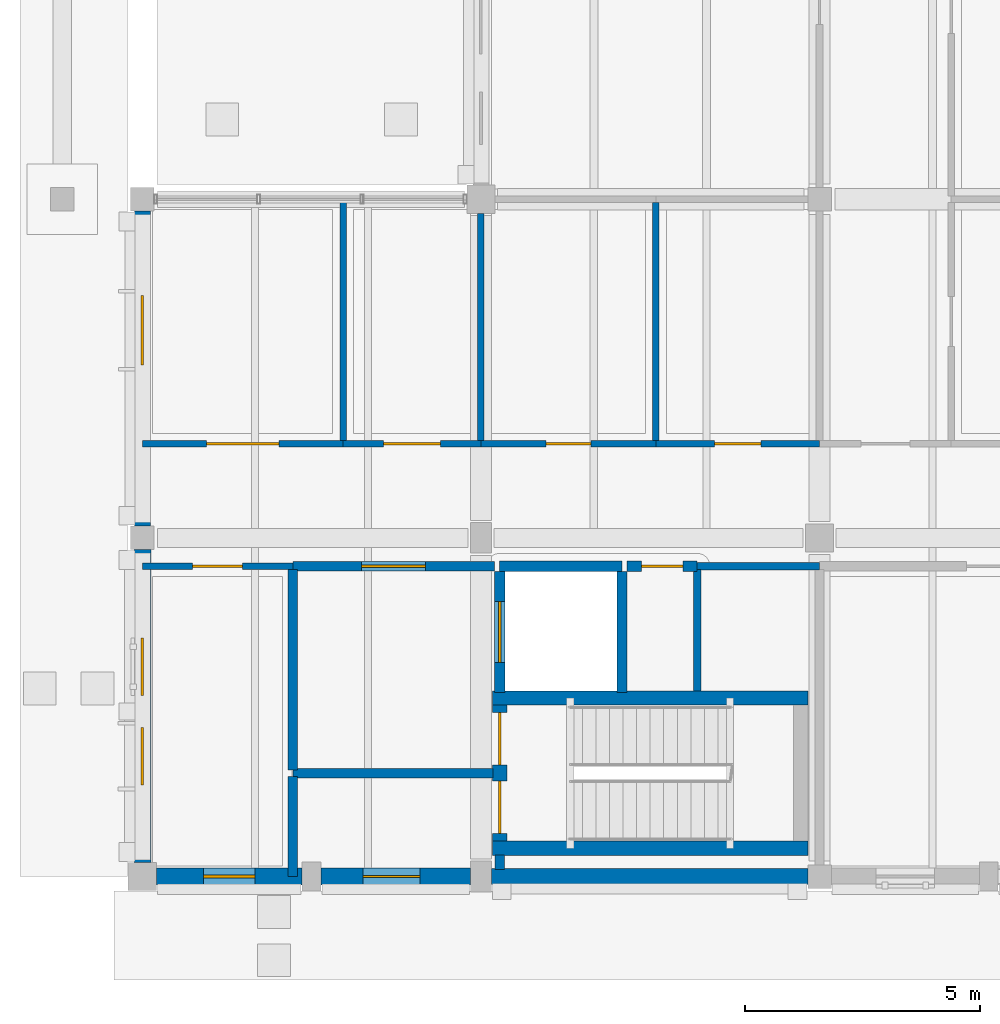
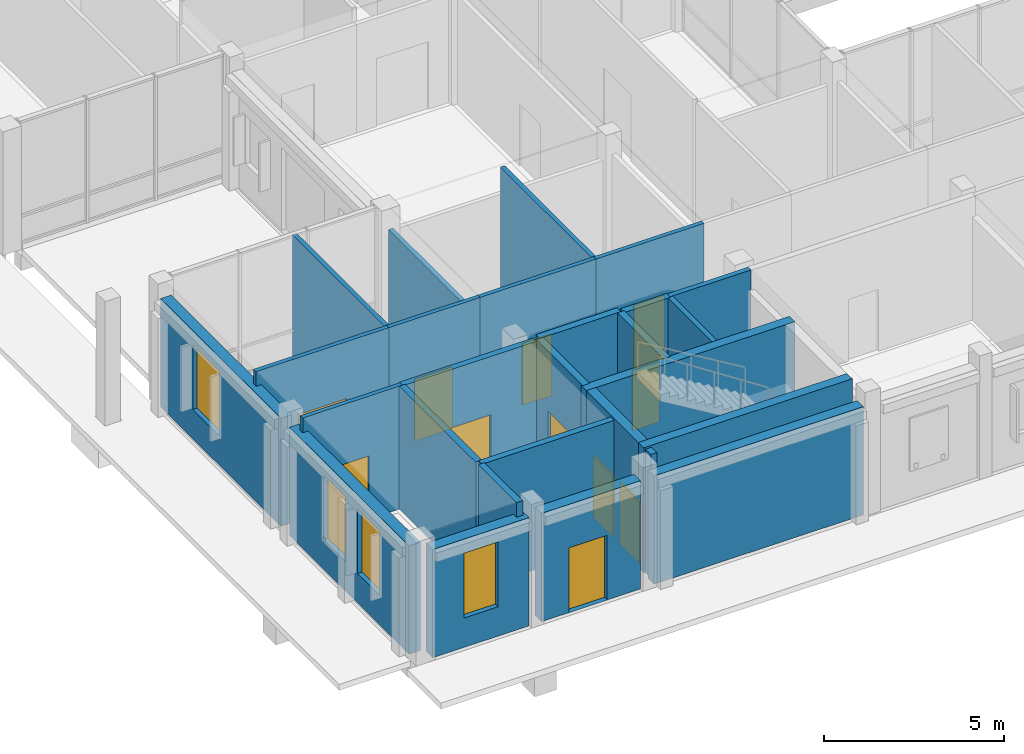
# One storey, part 69 of 104: 27 walls, 11 doors, 4 windows, 15 openings.
"""IFC4 building model written with IfcOpenShell, lengths in metres."""

from ifc_helpers import new_model, si_unit, direction, frame, frame_2d, origin, place, context, subcontext, project, spatial, rectangle, extrude, material, layer, layer_set, type_object, element, fill, save


model = new_model("IFC4")

# Units and contexts
model_context = context("Model", 3, precision=1e-05, world=origin(), true_north=direction((0.0, 1.0)))
body_context = subcontext(model_context, "Body", "Model", "MODEL_VIEW")
ifc_project = project(units=[si_unit("LENGTHUNIT", "METRE"), si_unit("AREAUNIT", "SQUARE_METRE"), si_unit("VOLUMEUNIT", "CUBIC_METRE"), si_unit("PLANEANGLEUNIT", "RADIAN"), si_unit("MASSUNIT", "GRAM", prefix="KILO")], contexts=[model_context])

# Site, building, storey
site_placement = place(None, origin())
site = spatial("IfcSite", under=ifc_project, at=site_placement, CompositionType="ELEMENT")
building_placement = place(site_placement, origin())
building = spatial("IfcBuilding", under=site, at=building_placement, Name="Hawrajan Terrace Health Centre", CompositionType="ELEMENT")
storey_placement = place(building_placement, origin())
storey = spatial("IfcBuildingStorey", under=building, at=storey_placement, Name="L00", CompositionType="ELEMENT", Elevation=0.0)

# Wall, opening, door
ifc_material_1 = material(Name="Gypsum board on acoustic stud framing")
ifc_layer_1 = layer(ifc_material_1, 0.139892578125)
ifc_layer_set_1 = layer_set([ifc_layer_1], Name="Gypsum board on acoustic stud framing")
wall_type_1 = type_object("IfcWallType", Name="ClinicalAcousticWall_140", PredefinedType="PARTITIONING", material=ifc_layer_set_1)
wall_1_placement = place(storey_placement, frame((4.60009765625, 10.800048828125, 0.0), z_axis=(0.0, 0.0, 1.0), x_axis=(1.0, 0.0, 0.0)))
wall_1 = element("IfcWall", 1, at=wall_1_placement, inside=storey, type_object=wall_type_1, Name="Interior wall IW-L00-0198", PredefinedType="PARTITIONING", context=body_context, shape_type="SweptSolid", body=[
    extrude(rectangle(XDim=3.199951171875, YDim=0.139892578125, at=frame_2d((1.60009765625, 0.0))), origin(), (0.0, 0.0, 1.0), 4.179931640625),
])
opening_1_placement = place(wall_1_placement, frame((1.070068359375, 0.0, 0.0)))
opening_1 = element("IfcOpeningElement", 2, at=opening_1_placement, cuts=wall_1, Name="Opening D-L00-205", PredefinedType="OPENING", context=body_context, shape_type="SweptSolid", body=[
    extrude(rectangle(XDim=1.06005859375, YDim=2.14990234375, at=frame_2d((0.530029296875, 1.074951171875))), frame((0.0, 0.079833984375, 0.0), z_axis=(0.0, -1.0, 0.0), x_axis=(1.0, 0.0, 0.0)), (0.0, 0.0, 1.0), 0.159912109375),
])
ifc_material_2 = material(Name="Hardwood acoustic clinical door leaf and frame", Category="wood")
door_type_1 = type_object("IfcDoorType", Name="MentalHealthDoor_1060x2150", OperationType="NOTDEFINED", PredefinedType="DOOR", material=ifc_material_2)
door_1_placement = place(opening_1_placement, origin())
door_1 = element("IfcDoor", 3, at=door_1_placement, inside=storey, type_object=door_type_1, Name="Interior door D-L00-205", OperationType="SINGLE_SWING_LEFT", OverallHeight=2.14990234375, OverallWidth=1.06005859375, PredefinedType="DOOR", context=body_context, shape_type="SweptSolid", body=[
    extrude(rectangle(XDim=1.06005859375, YDim=2.14990234375, at=frame_2d((0.530029296875, 1.074951171875))), frame((0.0, 0.02490234375, 0.0), z_axis=(0.0, -1.0, 0.0), x_axis=(1.0, 0.0, 0.0)), (0.0, 0.0, 1.0), 0.050048828125),
])
fill(opening_1, door_1)

wall_2_placement = place(storey_placement, frame((4.60009765625, 13.39990234375, 0.0), z_axis=(0.0, 0.0, 1.0), x_axis=(1.0, 0.0, 0.0)))
wall_2 = element("IfcWall", 4, at=wall_2_placement, inside=storey, type_object=wall_type_1, Name="Interior wall IW-L00-0199", PredefinedType="PARTITIONING", context=body_context, shape_type="SweptSolid", body=[
    extrude(rectangle(XDim=4.27001953125, YDim=0.139892578125, at=frame_2d((2.135009765625, 0.0))), origin(), (0.0, 0.0, 1.0), 4.179931640625),
])
opening_2_placement = place(wall_2_placement, frame((1.364990234375, 0.0, 0.0)))
opening_2 = element("IfcOpeningElement", 5, at=opening_2_placement, cuts=wall_2, Name="Opening D-L00-206", PredefinedType="OPENING", context=body_context, shape_type="SweptSolid", body=[
    extrude(rectangle(XDim=1.5400390625, YDim=2.25, at=frame_2d((0.77001953125, 1.125))), frame((0.0, 0.079833984375, 0.0), z_axis=(0.0, -1.0, 0.0), x_axis=(1.0, 0.0, 0.0)), (0.0, 0.0, 1.0), 0.159912109375),
])
door_type_2 = type_object("IfcDoorType", Name="RecoveryBayDoor_1540x2250", OperationType="DOUBLE_DOOR_SINGLE_SWING", PredefinedType="DOOR", material=ifc_material_2)
door_2_placement = place(opening_2_placement, origin())
door_2 = element("IfcDoor", 6, at=door_2_placement, inside=storey, type_object=door_type_2, Name="Interior door D-L00-206", OperationType="DOUBLE_DOOR_SINGLE_SWING", OverallHeight=2.25, OverallWidth=1.5400390625, PredefinedType="DOOR", context=body_context, shape_type="SweptSolid", body=[
    extrude(rectangle(XDim=1.5400390625, YDim=2.25, at=frame_2d((0.77001953125, 1.125))), frame((0.0, 0.02490234375, 0.0), z_axis=(0.0, -1.0, 0.0), x_axis=(1.0, 0.0, 0.0)), (0.0, 0.0, 1.0), 0.050048828125),
])
fill(opening_2, door_2)

# Wall
wall_3_placement = place(storey_placement, frame((8.8701171875, 13.469970703125, 0.0), z_axis=(0.0, 0.0, 1.0), x_axis=(0.0, 1.0, 0.0)))
element("IfcWall", 7, at=wall_3_placement, inside=storey, type_object=wall_type_1, Name="Interior wall IW-L00-0214", PredefinedType="PARTITIONING", context=body_context, shape_type="SweptSolid", body=[
    extrude(rectangle(XDim=5.130126953125, YDim=0.139892578125, at=frame_2d((2.56494140625, 0.0))), origin(), (0.0, 0.0, 1.0), 4.179931640625),
])

# Wall, opening, door
wall_4_placement = place(storey_placement, frame((8.8701171875, 13.39990234375, 0.0), z_axis=(0.0, 0.0, 1.0), x_axis=(1.0, 0.0, 0.0)))
wall_4 = element("IfcWall", 8, at=wall_4_placement, inside=storey, type_object=wall_type_1, Name="Interior wall IW-L00-0215", PredefinedType="PARTITIONING", context=body_context, shape_type="SweptSolid", body=[
    extrude(rectangle(XDim=2.929931640625, YDim=0.139892578125, at=frame_2d((1.46484375, 0.0))), origin(), (0.0, 0.0, 1.0), 4.179931640625),
])
opening_3_placement = place(wall_4_placement, frame((0.85498046875, 0.0, 0.0)))
opening_3 = element("IfcOpeningElement", 9, at=opening_3_placement, cuts=wall_4, Name="Opening D-L00-207", PredefinedType="OPENING", context=body_context, shape_type="SweptSolid", body=[
    extrude(rectangle(XDim=1.219970703125, YDim=2.10009765625, at=frame_2d((0.60986328125, 1.050048828125))), frame((0.0, 0.079833984375, 0.0), z_axis=(0.0, -1.0, 0.0), x_axis=(1.0, 0.0, 0.0)), (0.0, 0.0, 1.0), 0.159912109375),
])
door_type_3 = type_object("IfcDoorType", Name="ConsultDoor_1220x2100", OperationType="NOTDEFINED", PredefinedType="DOOR", material=ifc_material_2)
door_3_placement = place(opening_3_placement, origin())
door_3 = element("IfcDoor", 10, at=door_3_placement, inside=storey, type_object=door_type_3, Name="Interior door D-L00-207", OperationType="SINGLE_SWING_LEFT", OverallHeight=2.10009765625, OverallWidth=1.219970703125, PredefinedType="DOOR", context=body_context, shape_type="SweptSolid", body=[
    extrude(rectangle(XDim=1.219970703125, YDim=2.10009765625, at=frame_2d((0.60986328125, 1.050048828125))), frame((0.0, 0.02490234375, 0.0), z_axis=(0.0, -1.0, 0.0), x_axis=(1.0, 0.0, 0.0)), (0.0, 0.0, 1.0), 0.050048828125),
])
fill(opening_3, door_3)

# Wall
wall_5_placement = place(storey_placement, frame((11.800048828125, 13.469970703125, 0.0), z_axis=(0.0, 0.0, 1.0), x_axis=(0.0, 1.0, 0.0)))
element("IfcWall", 11, at=wall_5_placement, inside=storey, type_object=wall_type_1, Name="Interior wall IW-L00-0221", PredefinedType="PARTITIONING", context=body_context, shape_type="SweptSolid", body=[
    extrude(rectangle(XDim=4.830078125, YDim=0.139892578125, at=frame_2d((2.4150390625, 0.0))), origin(), (0.0, 0.0, 1.0), 3.5),
])

# Wall, opening, door
wall_6_placement = place(storey_placement, frame((11.800048828125, 13.39990234375, 0.0), z_axis=(0.0, 0.0, 1.0), x_axis=(1.0, 0.0, 0.0)))
wall_6 = element("IfcWall", 12, at=wall_6_placement, inside=storey, type_object=wall_type_1, Name="Interior wall IW-L00-0222", PredefinedType="PARTITIONING", context=body_context, shape_type="SweptSolid", body=[
    extrude(rectangle(XDim=3.721923828125, YDim=0.139892578125, at=frame_2d((1.86083984375, 0.0))), origin(), (0.0, 0.0, 1.0), 4.179931640625),
])
opening_4_placement = place(wall_6_placement, frame((1.385986328125, 0.0, 0.0)))
opening_4 = element("IfcOpeningElement", 13, at=opening_4_placement, cuts=wall_6, Name="Opening D-L00-208", PredefinedType="OPENING", context=body_context, shape_type="SweptSolid", body=[
    extrude(rectangle(XDim=0.949951171875, YDim=2.10009765625, at=frame_2d((0.47509765625, 1.050048828125))), frame((0.0, 0.079833984375, 0.0), z_axis=(0.0, -1.0, 0.0), x_axis=(1.0, 0.0, 0.0)), (0.0, 0.0, 1.0), 0.159912109375),
])
door_type_4 = type_object("IfcDoorType", Name="AccessibleWCDoor_950x2100", OperationType="NOTDEFINED", PredefinedType="DOOR", material=ifc_material_2)
door_4_placement = place(opening_4_placement, origin())
door_4 = element("IfcDoor", 14, at=door_4_placement, inside=storey, type_object=door_type_4, Name="Interior door D-L00-208", OperationType="SINGLE_SWING_RIGHT", OverallHeight=2.10009765625, OverallWidth=0.949951171875, PredefinedType="DOOR", context=body_context, shape_type="SweptSolid", body=[
    extrude(rectangle(XDim=0.949951171875, YDim=2.10009765625, at=frame_2d((0.47509765625, 1.050048828125))), frame((0.0, 0.02490234375, 0.0), z_axis=(0.0, -1.0, 0.0), x_axis=(1.0, 0.0, 0.0)), (0.0, 0.0, 1.0), 0.050048828125),
])
fill(opening_4, door_4)

# Wall
wall_7_placement = place(storey_placement, frame((15.52197265625, 13.469970703125, 0.0), z_axis=(0.0, 0.0, 1.0), x_axis=(0.0, 1.0, 0.0)))
element("IfcWall", 15, at=wall_7_placement, inside=storey, type_object=wall_type_1, Name="Interior wall IW-L00-0238", PredefinedType="PARTITIONING", context=body_context, shape_type="SweptSolid", body=[
    extrude(rectangle(XDim=5.06005859375, YDim=0.139892578125, at=frame_2d((2.530029296875, 0.0))), origin(), (0.0, 0.0, 1.0), 4.179931640625),
])

# Wall, opening, door
wall_8_placement = place(storey_placement, frame((15.52197265625, 13.39990234375, 0.0), z_axis=(0.0, 0.0, 1.0), x_axis=(1.0, 0.0, 0.0)))
wall_8 = element("IfcWall", 16, at=wall_8_placement, inside=storey, type_object=wall_type_1, Name="Interior wall IW-L00-0239", PredefinedType="PARTITIONING", context=body_context, shape_type="SweptSolid", body=[
    extrude(rectangle(XDim=3.47802734375, YDim=0.139892578125, at=frame_2d((1.739013671875, 0.0))), origin(), (0.0, 0.0, 1.0), 4.179931640625),
])
opening_5_placement = place(wall_8_placement, frame((1.2490234375, 0.0, 0.0)))
opening_5 = element("IfcOpeningElement", 17, at=opening_5_placement, cuts=wall_8, Name="Opening D-L00-209", PredefinedType="OPENING", context=body_context, shape_type="SweptSolid", body=[
    extrude(rectangle(XDim=0.97998046875, YDim=2.14990234375, at=frame_2d((0.489990234375, 1.074951171875))), frame((0.0, 0.079833984375, 0.0), z_axis=(0.0, -1.0, 0.0), x_axis=(1.0, 0.0, 0.0)), (0.0, 0.0, 1.0), 0.159912109375),
])
door_type_5 = type_object("IfcDoorType", Name="ConsultDoor_980x2150", OperationType="NOTDEFINED", PredefinedType="DOOR", material=ifc_material_2)
door_5_placement = place(opening_5_placement, origin())
door_5 = element("IfcDoor", 18, at=door_5_placement, inside=storey, type_object=door_type_5, Name="Interior door D-L00-209", OperationType="SINGLE_SWING_LEFT", OverallHeight=2.14990234375, OverallWidth=0.97998046875, PredefinedType="DOOR", context=body_context, shape_type="SweptSolid", body=[
    extrude(rectangle(XDim=0.97998046875, YDim=2.14990234375, at=frame_2d((0.489990234375, 1.074951171875))), frame((0.0, 0.02490234375, 0.0), z_axis=(0.0, -1.0, 0.0), x_axis=(1.0, 0.0, 0.0)), (0.0, 0.0, 1.0), 0.050048828125),
])
fill(opening_5, door_5)

# Wall, opening, window
ifc_material_3 = material(Name="Precast concrete C40/50", Category="concrete")
ifc_layer_2 = layer(ifc_material_3, 0.340087890625)
ifc_layer_set_2 = layer_set([ifc_layer_2], Name="Precast concrete C40/50")
wall_type_2 = type_object("IfcWallType", Name="CoralAshlarWall_340", PredefinedType="SOLIDWALL", material=ifc_layer_set_2)
wall_9_placement = place(storey_placement, frame((4.60009765625, 11.64990234375, 0.0), z_axis=(0.0, 0.0, 1.0), x_axis=(0.0, 1.0, 0.0)))
wall_9 = element("IfcWall", 19, at=wall_9_placement, inside=storey, type_object=wall_type_2, Name="Exterior wall EW-L00-V00-01-1", PredefinedType="SOLIDWALL", context=body_context, shape_type="SweptSolid", body=[
    extrude(rectangle(XDim=6.7001953125, YDim=0.340087890625, at=frame_2d((3.35009765625, 0.0))), origin(), (0.0, 0.0, 1.0), 3.679931640625),
])
opening_6_placement = place(wall_9_placement, frame((3.425048828125, 0.0, 1.0)))
opening_6 = element("IfcOpeningElement", 20, at=opening_6_placement, cuts=wall_9, Name="Opening W-L00-004", PredefinedType="OPENING", context=body_context, shape_type="SweptSolid", body=[
    extrude(rectangle(XDim=1.47998046875, YDim=2.199951171875, at=frame_2d((0.739990234375, 1.10009765625))), frame((0.0, 0.179931640625, 0.0), z_axis=(0.0, -1.0, 0.0), x_axis=(1.0, 0.0, 0.0)), (0.0, 0.0, 1.0), 0.360107421875),
])
ifc_material_4 = material(Name="Anodized bronze frame with double low-E glazing", Category="glass")
window_type_1 = type_object("IfcWindowType", Name="FacadeWindow_1480x2200", PartitioningType="SINGLE_PANEL", PredefinedType="WINDOW", material=ifc_material_4)
window_1_placement = place(opening_6_placement, origin())
window_1 = element("IfcWindow", 21, at=window_1_placement, inside=storey, type_object=window_type_1, Name="Window W-L00-004", OverallHeight=2.199951171875, OverallWidth=1.47998046875, PartitioningType="SINGLE_PANEL", PredefinedType="WINDOW", context=body_context, shape_type="SweptSolid", body=[
    extrude(rectangle(XDim=1.47998046875, YDim=2.199951171875, at=frame_2d((0.739990234375, 1.10009765625))), frame((0.0, 0.030029296875, 0.0), z_axis=(0.0, -1.0, 0.0), x_axis=(1.0, 0.0, 0.0)), (0.0, 0.0, 1.0), 0.06005859375),
])
fill(opening_6, window_1)

# Wall
wall_10_placement = place(storey_placement, frame((12.02490234375, 4.199951171875, 0.0), z_axis=(0.0, 0.0, 1.0), x_axis=(1.0, 0.0, 0.0)))
element("IfcWall", 22, at=wall_10_placement, inside=storey, type_object=wall_type_2, Name="Exterior wall EW-L00-H01-00-1", PredefinedType="SOLIDWALL", context=body_context, shape_type="SweptSolid", body=[
    extrude(rectangle(XDim=6.72509765625, YDim=0.340087890625, at=frame_2d((3.362548828125, 0.0))), origin(), (0.0, 0.0, 1.0), 3.679931640625),
])

# Wall, opening, window
ifc_layer_3 = layer(ifc_material_3, 0.360107421875)
ifc_layer_set_3 = layer_set([ifc_layer_3], Name="Precast concrete C40/50")
wall_type_3 = type_object("IfcWallType", Name="CoralPodiumWall_360", PredefinedType="SOLIDWALL", material=ifc_layer_set_3)
wall_11_placement = place(storey_placement, frame((4.89990234375, 4.199951171875, 0.0), z_axis=(0.0, 0.0, 1.0), x_axis=(1.0, 0.0, 0.0)))
wall_11 = element("IfcWall", 23, at=wall_11_placement, inside=storey, type_object=wall_type_3, Name="Exterior wall EW-L00-H00-00-1", PredefinedType="SOLIDWALL", context=body_context, shape_type="SweptSolid", body=[
    extrude(rectangle(XDim=3.10009765625, YDim=0.360107421875, at=frame_2d((1.550048828125, 0.0))), origin(), (0.0, 0.0, 1.0), 3.679931640625),
])
opening_7_placement = place(wall_11_placement, frame((1.0, 0.0, 1.0)))
opening_7 = element("IfcOpeningElement", 24, at=opening_7_placement, cuts=wall_11, Name="Opening W-L00-001", PredefinedType="OPENING", context=body_context, shape_type="SweptSolid", body=[
    extrude(rectangle(XDim=1.10009765625, YDim=2.199951171875, at=frame_2d((0.550048828125, 1.10009765625))), frame((0.0, 0.18994140625, 0.0), z_axis=(0.0, -1.0, 0.0), x_axis=(1.0, 0.0, 0.0)), (0.0, 0.0, 1.0), 0.380126953125),
])
window_type_2 = type_object("IfcWindowType", Name="FacadeWindow_1100x2200", PartitioningType="SINGLE_PANEL", PredefinedType="WINDOW", material=ifc_material_4)
window_2_placement = place(opening_7_placement, origin())
window_2 = element("IfcWindow", 25, at=window_2_placement, inside=storey, type_object=window_type_2, Name="Window W-L00-001", OverallHeight=2.199951171875, OverallWidth=1.10009765625, PartitioningType="SINGLE_PANEL", PredefinedType="WINDOW", context=body_context, shape_type="SweptSolid", body=[
    extrude(rectangle(XDim=1.10009765625, YDim=2.199951171875, at=frame_2d((0.550048828125, 1.10009765625))), frame((0.0, 0.030029296875, 0.0), z_axis=(0.0, -1.0, 0.0), x_axis=(1.0, 0.0, 0.0)), (0.0, 0.0, 1.0), 0.06005859375),
])
fill(opening_7, window_2)

# Wall, opening, door
wall_12_placement = place(storey_placement, frame((8.39990234375, 4.199951171875, 0.0), z_axis=(0.0, 0.0, 1.0), x_axis=(1.0, 0.0, 0.0)))
wall_12 = element("IfcWall", 26, at=wall_12_placement, inside=storey, type_object=wall_type_3, Name="Exterior wall EW-L00-H00-00-2", PredefinedType="SOLIDWALL", context=body_context, shape_type="SweptSolid", body=[
    extrude(rectangle(XDim=3.175048828125, YDim=0.360107421875, at=frame_2d((1.58740234375, 0.0))), origin(), (0.0, 0.0, 1.0), 3.679931640625),
])
opening_8_placement = place(wall_12_placement, frame((0.889892578125, 0.0, 0.0)))
opening_8 = element("IfcOpeningElement", 27, at=opening_8_placement, cuts=wall_12, Name="Opening D-L00-E001", PredefinedType="OPENING", context=body_context, shape_type="SweptSolid", body=[
    extrude(rectangle(XDim=1.219970703125, YDim=2.199951171875, at=frame_2d((0.60986328125, 1.10009765625))), frame((0.0, 0.18994140625, 0.0), z_axis=(0.0, -1.0, 0.0), x_axis=(1.0, 0.0, 0.0)), (0.0, 0.0, 1.0), 0.380126953125),
])
ifc_material_5 = material(Name="Anodized bronze thermally broken fire-rated glazed door")
door_type_6 = type_object("IfcDoorType", Name="StairDischargeDoor_1220x2200", OperationType="NOTDEFINED", PredefinedType="DOOR", material=ifc_material_5)
door_6_placement = place(opening_8_placement, frame((1.219970703125, 0.0, 0.0), z_axis=(0.0, 0.0, 1.0), x_axis=(-1.0, 0.0, 0.0)))
door_6 = element("IfcDoor", 28, at=door_6_placement, inside=storey, type_object=door_type_6, Name="Exit Passage C3 Final Exit Door D-L00-E001", OperationType="SINGLE_SWING_LEFT", OverallHeight=2.199951171875, OverallWidth=1.219970703125, PredefinedType="DOOR", context=body_context, shape_type="SweptSolid", body=[
    extrude(rectangle(XDim=1.219970703125, YDim=2.199951171875, at=frame_2d((0.60986328125, 1.10009765625))), frame((0.0, 0.02490234375, 0.0), z_axis=(0.0, -1.0, 0.0), x_axis=(1.0, 0.0, 0.0)), (0.0, 0.0, 1.0), 0.050048828125),
])
fill(opening_8, door_6)

# Wall, openings, windows
wall_13_placement = place(storey_placement, frame((4.60009765625, 4.5, 0.0), z_axis=(0.0, 0.0, 1.0), x_axis=(0.0, 1.0, 0.0)))
wall_13 = element("IfcWall", 29, at=wall_13_placement, inside=storey, type_object=wall_type_3, Name="Exterior wall EW-L00-V00-00-1", PredefinedType="SOLIDWALL", context=body_context, shape_type="SweptSolid", body=[
    extrude(rectangle(XDim=6.64990234375, YDim=0.360107421875, at=frame_2d((3.324951171875, 0.0))), origin(), (0.0, 0.0, 1.0), 3.679931640625),
])
opening_9_placement = place(wall_13_placement, frame((1.64990234375, 0.0, 1.0)))
opening_9 = element("IfcOpeningElement", 30, at=opening_9_placement, cuts=wall_13, Name="Opening W-L00-002", PredefinedType="OPENING", context=body_context, shape_type="SweptSolid", body=[
    extrude(rectangle(XDim=1.219970703125, YDim=2.199951171875, at=frame_2d((0.60986328125, 1.10009765625))), frame((0.0, 0.18994140625, 0.0), z_axis=(0.0, -1.0, 0.0), x_axis=(1.0, 0.0, 0.0)), (0.0, 0.0, 1.0), 0.380126953125),
])
opening_10_placement = place(wall_13_placement, frame((3.550048828125, 0.0, 1.0)))
opening_10 = element("IfcOpeningElement", 31, at=opening_10_placement, cuts=wall_13, Name="Opening W-L00-003", PredefinedType="OPENING", context=body_context, shape_type="SweptSolid", body=[
    extrude(rectangle(XDim=1.219970703125, YDim=2.199951171875, at=frame_2d((0.60986328125, 1.10009765625))), frame((0.0, 0.18994140625, 0.0), z_axis=(0.0, -1.0, 0.0), x_axis=(1.0, 0.0, 0.0)), (0.0, 0.0, 1.0), 0.380126953125),
])
window_type_3 = type_object("IfcWindowType", Name="FacadeWindow_1220x2200", PartitioningType="SINGLE_PANEL", PredefinedType="WINDOW", material=ifc_material_4)
window_3_placement = place(opening_9_placement, origin())
window_3 = element("IfcWindow", 32, at=window_3_placement, inside=storey, type_object=window_type_3, Name="Window W-L00-002", OverallHeight=2.199951171875, OverallWidth=1.219970703125, PartitioningType="SINGLE_PANEL", PredefinedType="WINDOW", context=body_context, shape_type="SweptSolid", body=[
    extrude(rectangle(XDim=1.219970703125, YDim=2.199951171875, at=frame_2d((0.60986328125, 1.10009765625))), frame((0.0, 0.030029296875, 0.0), z_axis=(0.0, -1.0, 0.0), x_axis=(1.0, 0.0, 0.0)), (0.0, 0.0, 1.0), 0.06005859375),
])
fill(opening_9, window_3)
window_4_placement = place(opening_10_placement, origin())
window_4 = element("IfcWindow", 33, at=window_4_placement, inside=storey, type_object=window_type_3, Name="Window W-L00-003", OverallHeight=2.199951171875, OverallWidth=1.219970703125, PartitioningType="SINGLE_PANEL", PredefinedType="WINDOW", context=body_context, shape_type="SweptSolid", body=[
    extrude(rectangle(XDim=1.219970703125, YDim=2.199951171875, at=frame_2d((0.60986328125, 1.10009765625))), frame((0.0, 0.030029296875, 0.0), z_axis=(0.0, -1.0, 0.0), x_axis=(1.0, 0.0, 0.0)), (0.0, 0.0, 1.0), 0.06005859375),
])
fill(opening_10, window_4)

# Walls
ifc_material_6 = material(Name="Concrete C40/50", Category="concrete")
ifc_layer_4 = layer(ifc_material_6, 0.300048828125)
ifc_layer_set_4 = layer_set([ifc_layer_4], Name="Concrete C40/50")
wall_type_4 = type_object("IfcWallType", Name="CoreShearWall_RC300", PredefinedType="SHEAR", material=ifc_layer_set_4)
for number, where, z_axis, x_axis, name in (
    (34, (12.050048828125, 4.800048828125, 0.0), (0.0, 0.0, 1.0), (1.0, 0.0, 0.0), "Core shear wall SW-C3-L00-S"),
    (35, (12.050048828125, 8.0, 0.0), (0.0, 0.0, 1.0), (1.0, 0.0, 0.0), "Core shear wall SW-C3-L00-N"),
):
    element("IfcWall", number, at=place(storey_placement, frame(where, z_axis=z_axis, x_axis=x_axis)), inside=storey, type_object=wall_type_4, Name=name, PredefinedType="SHEAR", context=body_context, shape_type="SweptSolid", body=[
        extrude(rectangle(XDim=6.699951171875, YDim=0.300048828125, at=frame_2d((3.35009765625, 0.0))), origin(), (0.0, 0.0, 1.0), 4.25),
    ])

# Wall, openings, doors
wall_14_placement = place(storey_placement, frame((12.199951171875, 4.949951171875, 0.0), z_axis=(0.0, 0.0, 1.0), x_axis=(0.0, 1.0, 0.0)))
wall_14 = element("IfcWall", 36, at=wall_14_placement, inside=storey, type_object=wall_type_4, Name="Core shear wall SW-C3-L00-W", PredefinedType="SHEAR", context=body_context, shape_type="SweptSolid", body=[
    extrude(rectangle(XDim=2.900146484375, YDim=0.300048828125, at=frame_2d((1.4501953125, 0.0))), origin(), (0.0, 0.0, 1.0), 4.25),
])
opening_11_placement = place(wall_14_placement, frame((0.159912109375, 0.0, 0.0)))
opening_11 = element("IfcOpeningElement", 37, at=opening_11_placement, cuts=wall_14, Name="Opening D-L00-095", PredefinedType="OPENING", context=body_context, shape_type="SweptSolid", body=[
    extrude(rectangle(XDim=1.1201171875, YDim=2.10009765625, at=frame_2d((0.56005859375, 1.050048828125))), frame((0.0, 0.159912109375, 0.0), z_axis=(0.0, -1.0, 0.0), x_axis=(1.0, 0.0, 0.0)), (0.0, 0.0, 1.0), 0.320068359375),
])
opening_12_placement = place(wall_14_placement, frame((1.6201171875, 0.0, 0.0)))
opening_12 = element("IfcOpeningElement", 38, at=opening_12_placement, cuts=wall_14, Name="Opening D-L00-096", PredefinedType="OPENING", context=body_context, shape_type="SweptSolid", body=[
    extrude(rectangle(XDim=1.1201171875, YDim=2.10009765625, at=frame_2d((0.56005859375, 1.050048828125))), frame((0.0, 0.159912109375, 0.0), z_axis=(0.0, -1.0, 0.0), x_axis=(1.0, 0.0, 0.0)), (0.0, 0.0, 1.0), 0.320068359375),
])
ifc_material_7 = material(Name="Timber-veneered acoustic fire-resisting door assembly", Category="wood")
door_type_7 = type_object("IfcDoorType", Name="CoreStairDoor_1120x2100", OperationType="NOTDEFINED", PredefinedType="DOOR", material=ifc_material_7)
door_7_placement = place(opening_11_placement, origin())
door_7 = element("IfcDoor", 39, at=door_7_placement, inside=storey, type_object=door_type_7, Name="Interior door D-L00-095", OperationType="SINGLE_SWING_LEFT", OverallHeight=2.10009765625, OverallWidth=1.1201171875, PredefinedType="DOOR", context=body_context, shape_type="SweptSolid", body=[
    extrude(rectangle(XDim=1.1201171875, YDim=2.10009765625, at=frame_2d((0.56005859375, 1.050048828125))), frame((0.0, 0.02490234375, 0.0), z_axis=(0.0, -1.0, 0.0), x_axis=(1.0, 0.0, 0.0)), (0.0, 0.0, 1.0), 0.050048828125),
])
fill(opening_11, door_7)
door_8_placement = place(opening_12_placement, origin())
door_8 = element("IfcDoor", 40, at=door_8_placement, inside=storey, type_object=door_type_7, Name="Interior door D-L00-096", OperationType="SINGLE_SWING_RIGHT", OverallHeight=2.10009765625, OverallWidth=1.1201171875, PredefinedType="DOOR", context=body_context, shape_type="SweptSolid", body=[
    extrude(rectangle(XDim=1.1201171875, YDim=2.10009765625, at=frame_2d((0.56005859375, 1.050048828125))), frame((0.0, 0.02490234375, 0.0), z_axis=(0.0, -1.0, 0.0), x_axis=(1.0, 0.0, 0.0)), (0.0, 0.0, 1.0), 0.050048828125),
])
fill(opening_12, door_8)

# Walls
ifc_layer_5 = layer(ifc_material_1, 0.159912109375)
ifc_layer_set_5 = layer_set([ifc_layer_5], Name="Gypsum board on acoustic stud framing")
wall_type_5 = type_object("IfcWallType", Name="CorridorFireWall_160", PredefinedType="PARTITIONING", material=ifc_layer_set_5)
wall_15_placement = place(storey_placement, frame((16.39990234375, 8.139892578125, 0.0), z_axis=(0.0, 0.0, 1.0), x_axis=(0.0, 1.0, 0.0)))
element("IfcWall", 41, at=wall_15_placement, inside=storey, type_object=wall_type_5, Name="Interior wall IW-L00-0468", PredefinedType="PARTITIONING", context=body_context, shape_type="SweptSolid", body=[
    extrude(rectangle(XDim=2.590087890625, YDim=0.159912109375, at=frame_2d((1.294921875, 0.0))), origin(), (0.0, 0.0, 1.0), 4.179931640625),
])
wall_16_placement = place(storey_placement, frame((16.39990234375, 10.800048828125, 0.0), z_axis=(0.0, 0.0, 1.0), x_axis=(1.0, 0.0, 0.0)))
element("IfcWall", 42, at=wall_16_placement, inside=storey, type_object=wall_type_5, Name="Interior wall IW-L00-0482", PredefinedType="PARTITIONING", context=body_context, shape_type="SweptSolid", body=[
    extrude(rectangle(XDim=2.60009765625, YDim=0.159912109375, at=frame_2d((1.300048828125, 0.0))), origin(), (0.0, 0.0, 1.0), 4.179931640625),
])
ifc_material_8 = material(Name="Cross-laminated timber CLT C24", Category="wood")
ifc_layer_6 = layer(ifc_material_8, 0.199951171875)
ifc_layer_set_6 = layer_set([ifc_layer_6], Name="Cross-laminated timber CLT C24")
wall_type_6 = type_object("IfcWallType", Name="FireCompartmentWall_200", PredefinedType="PARTITIONING", material=ifc_layer_set_6)
wall_17_placement = place(storey_placement, frame((7.800048828125, 4.199951171875, 0.0), z_axis=(0.0, 0.0, 1.0), x_axis=(0.0, 1.0, 0.0)))
element("IfcWall", 43, at=wall_17_placement, inside=storey, type_object=wall_type_6, Name="Interior wall IW-L00-0206", PredefinedType="PARTITIONING", context=body_context, shape_type="SweptSolid", body=[
    extrude(rectangle(XDim=2.130126953125, YDim=0.199951171875, at=frame_2d((1.06494140625, 0.0))), origin(), (0.0, 0.0, 1.0), 4.179931640625),
])
for number, where, z_axis, x_axis, name in (
    (44, (7.800048828125, 6.469970703125, 0.0), (0.0, 0.0, 1.0), (0.0, 1.0, 0.0), "Interior wall IW-L00-0207"),
    (45, (7.800048828125, 6.39990234375, 0.0), (0.0, 0.0, 1.0), (1.0, 0.0, 0.0), "Interior wall IW-L00-0208"),
):
    element("IfcWall", number, at=place(storey_placement, frame(where, z_axis=z_axis, x_axis=x_axis)), inside=storey, type_object=wall_type_6, Name=name, PredefinedType="PARTITIONING", context=body_context, shape_type="SweptSolid", body=[
        extrude(rectangle(XDim=4.260009765625, YDim=0.199951171875, at=frame_2d((2.1298828125, 0.0))), origin(), (0.0, 0.0, 1.0), 4.179931640625),
    ])

# Wall, opening, door
wall_18_placement = place(storey_placement, frame((7.800048828125, 10.800048828125, 0.0), z_axis=(0.0, 0.0, 1.0), x_axis=(1.0, 0.0, 0.0)))
wall_18 = element("IfcWall", 46, at=wall_18_placement, inside=storey, type_object=wall_type_6, Name="Interior wall IW-L00-0209", PredefinedType="PARTITIONING", context=body_context, shape_type="SweptSolid", body=[
    extrude(rectangle(XDim=4.2900390625, YDim=0.199951171875, at=frame_2d((2.14501953125, 0.0))), origin(), (0.0, 0.0, 1.0), 4.179931640625),
])
opening_13_placement = place(wall_18_placement, frame((1.465087890625, 0.0, 0.0)))
opening_13 = element("IfcOpeningElement", 47, at=opening_13_placement, cuts=wall_18, Name="Opening D-L00-105", PredefinedType="OPENING", context=body_context, shape_type="SweptSolid", body=[
    extrude(rectangle(XDim=1.360107421875, YDim=2.199951171875, at=frame_2d((0.68017578125, 1.10009765625))), frame((0.0, 0.10986328125, 0.0), z_axis=(0.0, -1.0, 0.0), x_axis=(1.0, 0.0, 0.0)), (0.0, 0.0, 1.0), 0.219970703125),
])
door_type_8 = type_object("IfcDoorType", Name="FFLobbyDoor_1360x2200", OperationType="NOTDEFINED", PredefinedType="DOOR", material=ifc_material_7)
door_9_placement = place(opening_13_placement, origin())
door_9 = element("IfcDoor", 48, at=door_9_placement, inside=storey, type_object=door_type_8, Name="Interior door D-L00-105", OperationType="SINGLE_SWING_LEFT", OverallHeight=2.199951171875, OverallWidth=1.360107421875, PredefinedType="DOOR", context=body_context, shape_type="SweptSolid", body=[
    extrude(rectangle(XDim=1.360107421875, YDim=2.199951171875, at=frame_2d((0.68017578125, 1.10009765625))), frame((0.0, 0.02490234375, 0.0), z_axis=(0.0, -1.0, 0.0), x_axis=(1.0, 0.0, 0.0)), (0.0, 0.0, 1.0), 0.050048828125),
])
fill(opening_13, door_9)

# Walls
wall_19_placement = place(storey_placement, frame((12.199951171875, 4.35009765625, 0.0), z_axis=(0.0, 0.0, 1.0), x_axis=(0.0, 1.0, 0.0)))
element("IfcWall", 49, at=wall_19_placement, inside=storey, type_object=wall_type_6, Name="Interior wall IW-L00-0472", PredefinedType="PARTITIONING", context=body_context, shape_type="SweptSolid", body=[
    extrude(rectangle(XDim=0.309814453125, YDim=0.199951171875, at=frame_2d((0.15478515625, 0.0))), origin(), (0.0, 0.0, 1.0), 4.179931640625),
])
ifc_layer_7 = layer(ifc_material_6, 0.219970703125)
ifc_layer_set_7 = layer_set([ifc_layer_7], Name="Concrete C40/50")
wall_type_7 = type_object("IfcWallType", Name="ShaftWall_RC220", PredefinedType="SOLIDWALL", material=ifc_layer_set_7)
wall_20_placement = place(storey_placement, frame((12.199951171875, 10.800048828125, 0.0), z_axis=(0.0, 0.0, 1.0), x_axis=(1.0, 0.0, 0.0)))
element("IfcWall", 50, at=wall_20_placement, inside=storey, type_object=wall_type_7, Name="Lift shaft wall LW-LC-04-L00-N", PredefinedType="SOLIDWALL", context=body_context, shape_type="SweptSolid", body=[
    extrude(rectangle(XDim=2.60009765625, YDim=0.219970703125, at=frame_2d((1.300048828125, 0.0))), origin(), (0.0, 0.0, 1.0), 4.25),
])

# Wall, opening, door
wall_21_placement = place(storey_placement, frame((12.199951171875, 8.110107421875, 0.0), z_axis=(0.0, 0.0, 1.0), x_axis=(0.0, 1.0, 0.0)))
wall_21 = element("IfcWall", 51, at=wall_21_placement, inside=storey, type_object=wall_type_7, Name="Lift shaft wall LW-LC-04-L00-W", PredefinedType="SOLIDWALL", context=body_context, shape_type="SweptSolid", body=[
    extrude(rectangle(XDim=2.579833984375, YDim=0.219970703125, at=frame_2d((1.2900390625, 0.0))), origin(), (0.0, 0.0, 1.0), 4.25),
])
opening_14_placement = place(wall_21_placement, frame((0.639892578125, 0.0, 0.0)))
opening_14 = element("IfcOpeningElement", 52, at=opening_14_placement, cuts=wall_21, Name="Opening LD-L00-LC-04", PredefinedType="OPENING", context=body_context, shape_type="SweptSolid", body=[
    extrude(rectangle(XDim=1.300048828125, YDim=2.199951171875, at=frame_2d((0.64990234375, 1.10009765625))), frame((0.0, 0.119873046875, 0.0), z_axis=(0.0, -1.0, 0.0), x_axis=(1.0, 0.0, 0.0)), (0.0, 0.0, 1.0), 0.239990234375),
])
ifc_material_9 = material(Name="Brushed bronze stainless-steel sliding lift landing door", Category="steel")
door_type_9 = type_object("IfcDoorType", Name="LiftLandingDoor_1300x2200", OperationType="SLIDING_TO_LEFT", PredefinedType="DOOR", material=ifc_material_9)
door_10_placement = place(opening_14_placement, origin())
door_10 = element("IfcDoor", 53, at=door_10_placement, inside=storey, type_object=door_type_9, Name="Lift landing door LD-L00-LC-04", OperationType="SLIDING_TO_LEFT", OverallHeight=2.199951171875, OverallWidth=1.300048828125, PredefinedType="DOOR", context=body_context, shape_type="SweptSolid", body=[
    extrude(rectangle(XDim=1.300048828125, YDim=2.199951171875, at=frame_2d((0.64990234375, 1.10009765625))), frame((0.0, 0.02490234375, 0.0), z_axis=(0.0, -1.0, 0.0), x_axis=(1.0, 0.0, 0.0)), (0.0, 0.0, 1.0), 0.050048828125),
])
fill(opening_14, door_10)

# Wall
wall_22_placement = place(storey_placement, frame((14.800048828125, 8.110107421875, 0.0), z_axis=(0.0, 0.0, 1.0), x_axis=(0.0, 1.0, 0.0)))
element("IfcWall", 54, at=wall_22_placement, inside=storey, type_object=wall_type_7, Name="Lift shaft wall LW-LC-04-L00-E", PredefinedType="SOLIDWALL", context=body_context, shape_type="SweptSolid", body=[
    extrude(rectangle(XDim=2.579833984375, YDim=0.219970703125, at=frame_2d((1.2900390625, 0.0))), origin(), (0.0, 0.0, 1.0), 4.25),
])

# Wall, opening, door
wall_23_placement = place(storey_placement, frame((14.909912109375, 10.800048828125, 0.0), z_axis=(0.0, 0.0, 1.0), x_axis=(1.0, 0.0, 0.0)))
wall_23 = element("IfcWall", 55, at=wall_23_placement, inside=storey, type_object=wall_type_7, Name="Interior wall IW-L00-0237", PredefinedType="SOLIDWALL", context=body_context, shape_type="SweptSolid", body=[
    extrude(rectangle(XDim=1.489990234375, YDim=0.219970703125, at=frame_2d((0.7451171875, 0.0))), origin(), (0.0, 0.0, 1.0), 4.179931640625),
])
opening_15_placement = place(wall_23_placement, frame((0.304931640625, 0.0, 0.0)))
opening_15 = element("IfcOpeningElement", 56, at=opening_15_placement, cuts=wall_23, Name="Opening D-L00-141", PredefinedType="OPENING", context=body_context, shape_type="SweptSolid", body=[
    extrude(rectangle(XDim=0.8798828125, YDim=2.050048828125, at=frame_2d((0.43994140625, 1.02490234375))), frame((0.0, 0.119873046875, 0.0), z_axis=(0.0, -1.0, 0.0), x_axis=(1.0, 0.0, 0.0)), (0.0, 0.0, 1.0), 0.239990234375),
])
door_type_10 = type_object("IfcDoorType", Name="RiserAccessDoor_880x2050", OperationType="NOTDEFINED", PredefinedType="DOOR", material=ifc_material_7)
door_11_placement = place(opening_15_placement, origin())
door_11 = element("IfcDoor", 57, at=door_11_placement, inside=storey, type_object=door_type_10, Name="Service riser access door D-L00-141", OperationType="SINGLE_SWING_LEFT", OverallHeight=2.050048828125, OverallWidth=0.8798828125, PredefinedType="DOOR", context=body_context, shape_type="SweptSolid", body=[
    extrude(rectangle(XDim=0.8798828125, YDim=2.050048828125, at=frame_2d((0.43994140625, 1.02490234375))), frame((0.0, 0.02490234375, 0.0), z_axis=(0.0, -1.0, 0.0), x_axis=(1.0, 0.0, 0.0)), (0.0, 0.0, 1.0), 0.050048828125),
])
fill(opening_15, door_11)

save(model, "model.ifc")
